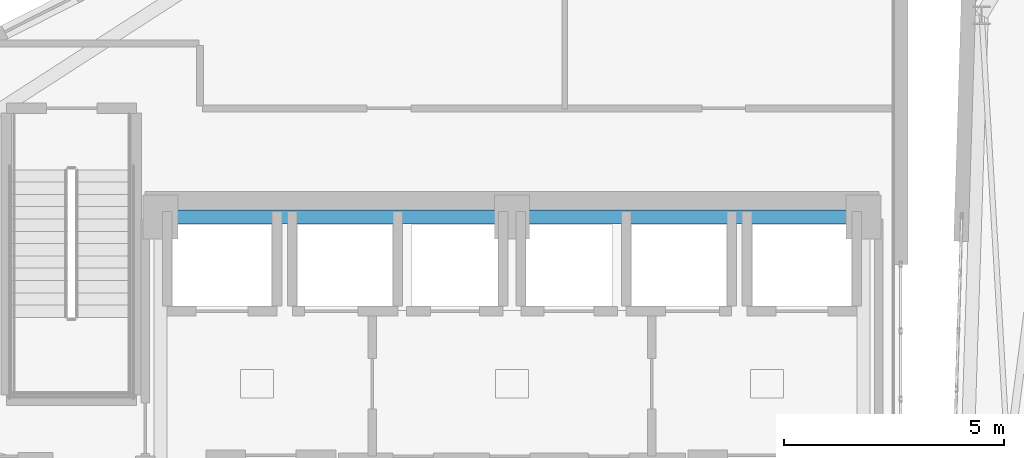
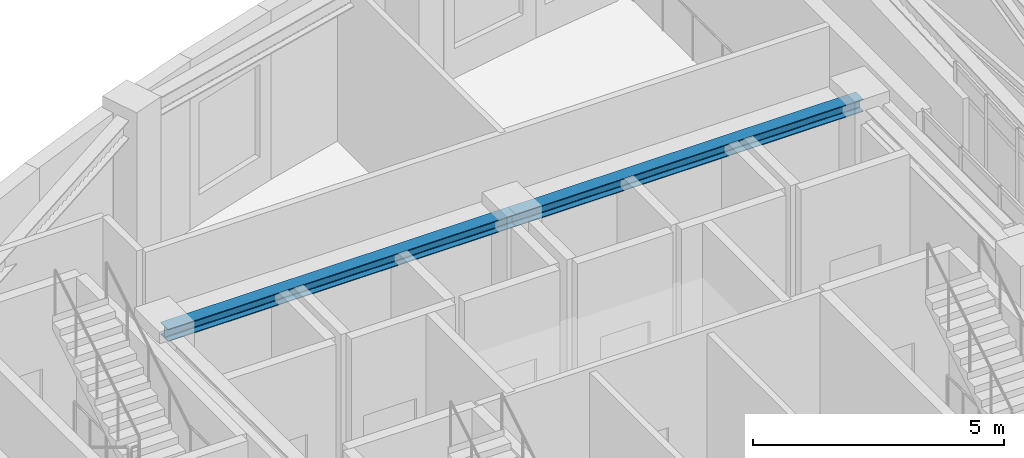
# One storey, part 10 of 19: 2 beams.
"""IFC4 building model written with IfcOpenShell, lengths in metres."""

from ifc_helpers import new_model, si_unit, direction, frame, origin, origin_2d, place, context, subcontext, project, spatial, i_section, extrude, material, material_profile, profile_set, type_object, element, save


model = new_model("IFC4")

# Units and contexts
model_context = context("Model", 3, precision=1e-05, world=origin(), true_north=direction((0.0, 1.0)))
body_context = subcontext(model_context, "Body", "Model", "MODEL_VIEW")
ifc_project = project(units=[si_unit("LENGTHUNIT", "METRE"), si_unit("AREAUNIT", "SQUARE_METRE"), si_unit("VOLUMEUNIT", "CUBIC_METRE"), si_unit("PLANEANGLEUNIT", "RADIAN"), si_unit("MASSUNIT", "GRAM", prefix="KILO")], contexts=[model_context])

# Site, building, storey
site_placement = place(None, origin())
site = spatial("IfcSite", under=ifc_project, at=site_placement, CompositionType="ELEMENT")
building_placement = place(site_placement, origin())
building = spatial("IfcBuilding", under=site, at=building_placement, Name="Ndelora Gate Hotel", CompositionType="ELEMENT")
storey_placement = place(building_placement, frame((0.0, 0.0, 299.199951171875)))
storey = spatial("IfcBuildingStorey", under=building, at=storey_placement, Name="L74", CompositionType="ELEMENT", Elevation=299.199951171875)

# Beams
ifc_material = material(Name="Steel S355", Category="steel")
ifc_material_profile = material_profile(ifc_material, i_section(OverallWidth=0.300048828125, OverallDepth=0.300048828125, WebThickness=0.010986328125, FlangeThickness=0.01904296875, FilletRadius=0.027099609375, at=origin_2d()), Name="HEB 300")
ifc_profile_set = profile_set([ifc_material_profile], Name="Steel S355")
beam_type = type_object("IfcBeamType", Name="BM-CORE-300", PredefinedType="BEAM", material=ifc_profile_set)
for number, where, z_axis, x_axis, name in (
    (1, (-8.0, 6.60009765625, 3.969970703125), (1.0, 0.0, 0.0), (0.0, 1.0, 0.0), "L74 Core Tie Girder CC7-CC6"),
    (2, (0.0, 6.60009765625, 3.969970703125), (1.0, 0.0, 0.0), (0.0, 1.0, 0.0), "L74 Core Tie Girder CC6-CC5"),
):
    element("IfcBeam", number, at=place(storey_placement, frame(where, z_axis=z_axis, x_axis=x_axis)), inside=storey, type_object=beam_type, Name=name, PredefinedType="BEAM", context=body_context, shape_type="SweptSolid", body=[
        extrude(i_section(OverallWidth=0.300048828125, OverallDepth=0.300048828125, WebThickness=0.010986328125, FlangeThickness=0.01904296875, FilletRadius=0.027099609375, at=origin_2d()), origin(), (0.0, 0.0, 1.0), 8.0),
    ])

save(model, "model.ifc")
